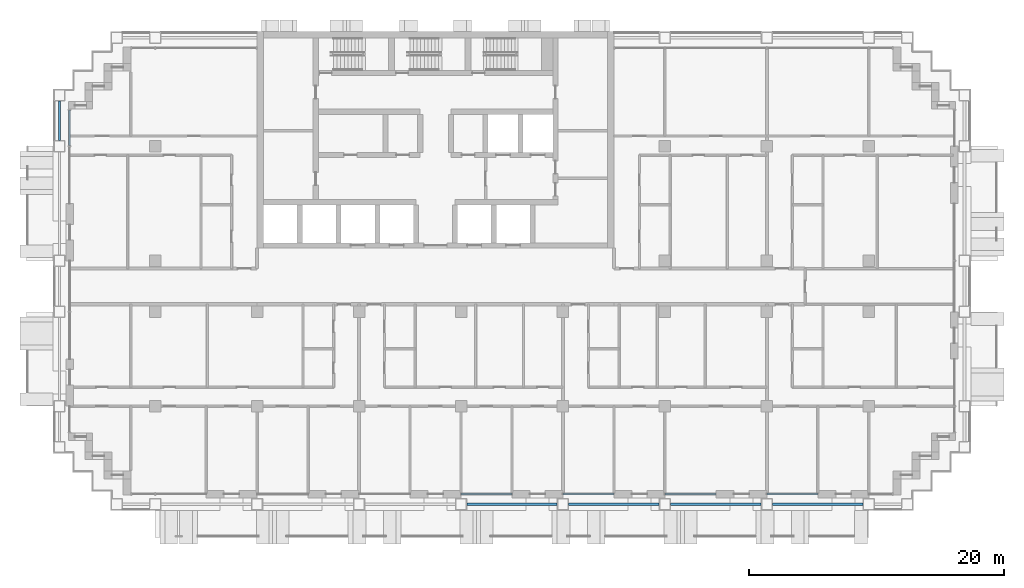
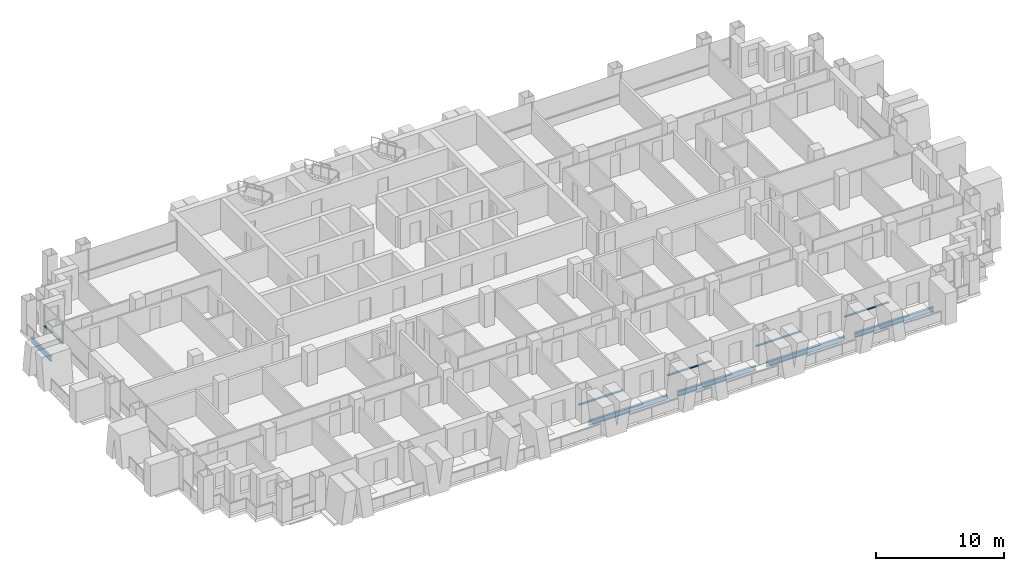
# One storey, part 3 of 18: 5 beams, 5 members, 5 elements without a shape of their own.
"""IFC4 building model written with IfcOpenShell, lengths in metres."""

from ifc_helpers import new_model, si_unit, direction, frame, origin, origin_2d, place, context, subcontext, project, spatial, rectangle, i_section, extrude, material, material_profile, profile_set, type_object, element, aggregate, save


model = new_model("IFC4")

# Units and contexts
model_context = context("Model", 3, precision=1e-05, world=origin(), true_north=direction((0.0, 1.0)))
body_context = subcontext(model_context, "Body", "Model", "MODEL_VIEW")
ifc_project = project(units=[si_unit("LENGTHUNIT", "METRE"), si_unit("AREAUNIT", "SQUARE_METRE"), si_unit("VOLUMEUNIT", "CUBIC_METRE"), si_unit("PLANEANGLEUNIT", "RADIAN"), si_unit("MASSUNIT", "GRAM", prefix="KILO")], contexts=[model_context])

# Site, building, storey
site_placement = place(None, origin())
site = spatial("IfcSite", under=ifc_project, at=site_placement, CompositionType="ELEMENT")
building_placement = place(site_placement, origin())
building = spatial("IfcBuilding", under=site, at=building_placement, Name="Vidyagriha Tower", CompositionType="ELEMENT")
storey_placement = place(building_placement, frame((0.0, 0.0, 80.699951171875)))
storey = spatial("IfcBuildingStorey", under=building, at=storey_placement, Name="L20", CompositionType="ELEMENT", Elevation=80.699951171875)

# Beams
ifc_material_1 = material(Name="Steel ASTM A992 Grade 50", Category="steel")
ifc_material_profile_1 = material_profile(ifc_material_1, i_section(OverallWidth=0.19189453125, OverallDepth=0.46240234375, WebThickness=0.010498046875, FlangeThickness=0.017578125, at=origin_2d()), Name="W18X60")
ifc_profile_set_1 = profile_set([ifc_material_profile_1], Name="Steel ASTM A992 Grade 50")
beam_type = type_object("IfcBeamType", Name="Edge beam W18X60", PredefinedType="SPANDREL", material=ifc_profile_set_1)
for number, where, z_axis, x_axis, name in (
    (1, (2.449951171875, -17.10009765625, -0.510986328125), (1.0, 0.0, 0.0), (0.0, 1.0, 0.0), "st-beam-L20-S05"),
    (2, (10.449951171875, -17.10009765625, -0.510986328125), (1.0, 0.0, 0.0), (0.0, 1.0, 0.0), "st-beam-L20-S06"),
    (3, (18.449951171875, -17.10009765625, -0.510986328125), (1.0, 0.0, 0.0), (0.0, 1.0, 0.0), "st-beam-L20-S07"),
    (4, (26.449951171875, -17.10009765625, -0.510986328125), (1.0, 0.0, 0.0), (0.0, 1.0, 0.0), "st-beam-L20-S08"),
):
    element("IfcBeam", number, at=place(storey_placement, frame(where, z_axis=z_axis, x_axis=x_axis)), inside=storey, type_object=beam_type, Name=name, PredefinedType="SPANDREL", context=body_context, shape_type="SweptSolid", body=[
        extrude(i_section(OverallWidth=0.19189453125, OverallDepth=0.46240234375, WebThickness=0.010498046875, FlangeThickness=0.017578125, at=origin_2d()), origin(), (0.0, 0.0, 1.0), 7.10009765625),
    ])
beam_placement = place(storey_placement, frame((-29.5, 11.449951171875, -0.510986328125), z_axis=(0.0, 1.0, 0.0), x_axis=(-1.0, 0.0, 0.0)))
element("IfcBeam", 5, at=beam_placement, inside=storey, type_object=beam_type, Name="st-beam-L20-W14", PredefinedType="SPANDREL", context=body_context, shape_type="SweptSolid", body=[
    extrude(i_section(OverallWidth=0.19189453125, OverallDepth=0.46240234375, WebThickness=0.010498046875, FlangeThickness=0.017578125, at=origin_2d()), origin(), (0.0, 0.0, 1.0), 3.10009765625),
])

# Curtain wall, member
ifc_material_2 = material(Name="Aluminium and glass curtain wall", Category="aluminium")
curtain_wall_type = type_object("IfcCurtainWallType", Name="Dwelling skin unitised curtain wall", PredefinedType="USERDEFINED", material=ifc_material_2)
curtain_wall_1_placement = place(storey_placement, origin())
curtain_wall_1 = element("IfcCurtainWall", 6, at=curtain_wall_1_placement, inside=storey, type_object=curtain_wall_type, Name="CW1 dwelling skin", ObjectType="UNITISED", PredefinedType="USERDEFINED")
ifc_material_3 = material(Name="Aluminium black anodised", Category="aluminium")
ifc_material_profile_2 = material_profile(ifc_material_3, rectangle(XDim=0.159912109375, YDim=0.10009765625, at=origin_2d()), Name="Transom 100x160 black aluminium")
ifc_profile_set_2 = profile_set([ifc_material_profile_2], Name="Aluminium black anodised")
member_type = type_object("IfcMemberType", Name="Transom 100x160 black aluminium", PredefinedType="USERDEFINED", material=ifc_profile_set_2)
member_1_placement = place(storey_placement, frame((-28.699951171875, 13.830078125, 0.900146484375), z_axis=(0.0, -1.0, 0.0), x_axis=(1.0, 0.0, 0.0)))
member_1 = element("IfcMember", 7, at=member_1_placement, type_object=member_type, Name="CW1 transom 1.1", ObjectType="TRANSOM", PredefinedType="USERDEFINED", context=body_context, shape_type="SweptSolid", body=[
    extrude(rectangle(XDim=0.159912109375, YDim=0.10009765625, at=origin_2d()), origin(), (0.0, 0.0, 1.0), 2.795166015625),
])
aggregate(curtain_wall_1, [member_1])

curtain_wall_2_placement = place(storey_placement, origin())
curtain_wall_2 = element("IfcCurtainWall", 8, at=curtain_wall_2_placement, inside=storey, type_object=curtain_wall_type, Name="CW1 dwelling skin", ObjectType="UNITISED", PredefinedType="USERDEFINED")
member_2_placement = place(storey_placement, frame((2.0, -16.300048828125, 0.900146484375), z_axis=(1.0, 0.0, 0.0), x_axis=(0.0, 1.0, 0.0)))
member_2 = element("IfcMember", 9, at=member_2_placement, type_object=member_type, Name="CW1 transom 1.1", ObjectType="TRANSOM", PredefinedType="USERDEFINED", context=body_context, shape_type="SweptSolid", body=[
    extrude(rectangle(XDim=0.159912109375, YDim=0.10009765625, at=origin_2d()), origin(), (0.0, 0.0, 1.0), 4.0),
])
aggregate(curtain_wall_2, [member_2])

curtain_wall_3_placement = place(storey_placement, origin())
curtain_wall_3 = element("IfcCurtainWall", 10, at=curtain_wall_3_placement, inside=storey, type_object=curtain_wall_type, Name="CW1 dwelling skin", ObjectType="UNITISED", PredefinedType="USERDEFINED")
member_3_placement = place(storey_placement, frame((10.0, -16.300048828125, 0.900146484375), z_axis=(1.0, 0.0, 0.0), x_axis=(0.0, 1.0, 0.0)))
member_3 = element("IfcMember", 11, at=member_3_placement, type_object=member_type, Name="CW1 transom 1.1", ObjectType="TRANSOM", PredefinedType="USERDEFINED", context=body_context, shape_type="SweptSolid", body=[
    extrude(rectangle(XDim=0.159912109375, YDim=0.10009765625, at=origin_2d()), origin(), (0.0, 0.0, 1.0), 4.0),
])
aggregate(curtain_wall_3, [member_3])

curtain_wall_4_placement = place(storey_placement, origin())
curtain_wall_4 = element("IfcCurtainWall", 12, at=curtain_wall_4_placement, inside=storey, type_object=curtain_wall_type, Name="CW1 dwelling skin", ObjectType="UNITISED", PredefinedType="USERDEFINED")
member_4_placement = place(storey_placement, frame((18.0, -16.300048828125, 0.900146484375), z_axis=(1.0, 0.0, 0.0), x_axis=(0.0, 1.0, 0.0)))
member_4 = element("IfcMember", 13, at=member_4_placement, type_object=member_type, Name="CW1 transom 1.1", ObjectType="TRANSOM", PredefinedType="USERDEFINED", context=body_context, shape_type="SweptSolid", body=[
    extrude(rectangle(XDim=0.159912109375, YDim=0.10009765625, at=origin_2d()), origin(), (0.0, 0.0, 1.0), 4.0),
])
aggregate(curtain_wall_4, [member_4])

curtain_wall_5_placement = place(storey_placement, origin())
curtain_wall_5 = element("IfcCurtainWall", 14, at=curtain_wall_5_placement, inside=storey, type_object=curtain_wall_type, Name="CW1 dwelling skin", ObjectType="UNITISED", PredefinedType="USERDEFINED")
member_5_placement = place(storey_placement, frame((26.0, -16.300048828125, 0.900146484375), z_axis=(1.0, 0.0, 0.0), x_axis=(0.0, 1.0, 0.0)))
member_5 = element("IfcMember", 15, at=member_5_placement, type_object=member_type, Name="CW1 transom 1.1", ObjectType="TRANSOM", PredefinedType="USERDEFINED", context=body_context, shape_type="SweptSolid", body=[
    extrude(rectangle(XDim=0.159912109375, YDim=0.10009765625, at=origin_2d()), origin(), (0.0, 0.0, 1.0), 4.0),
])
aggregate(curtain_wall_5, [member_5])

save(model, "model.ifc")
